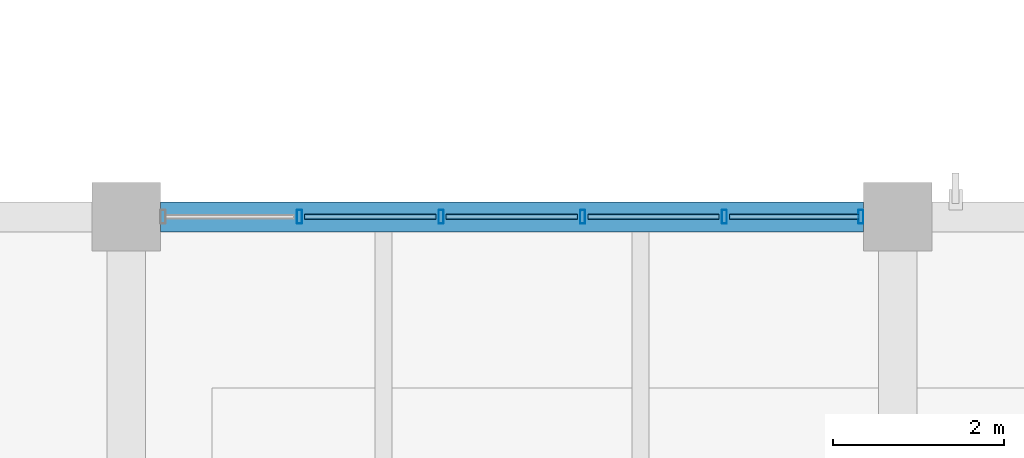
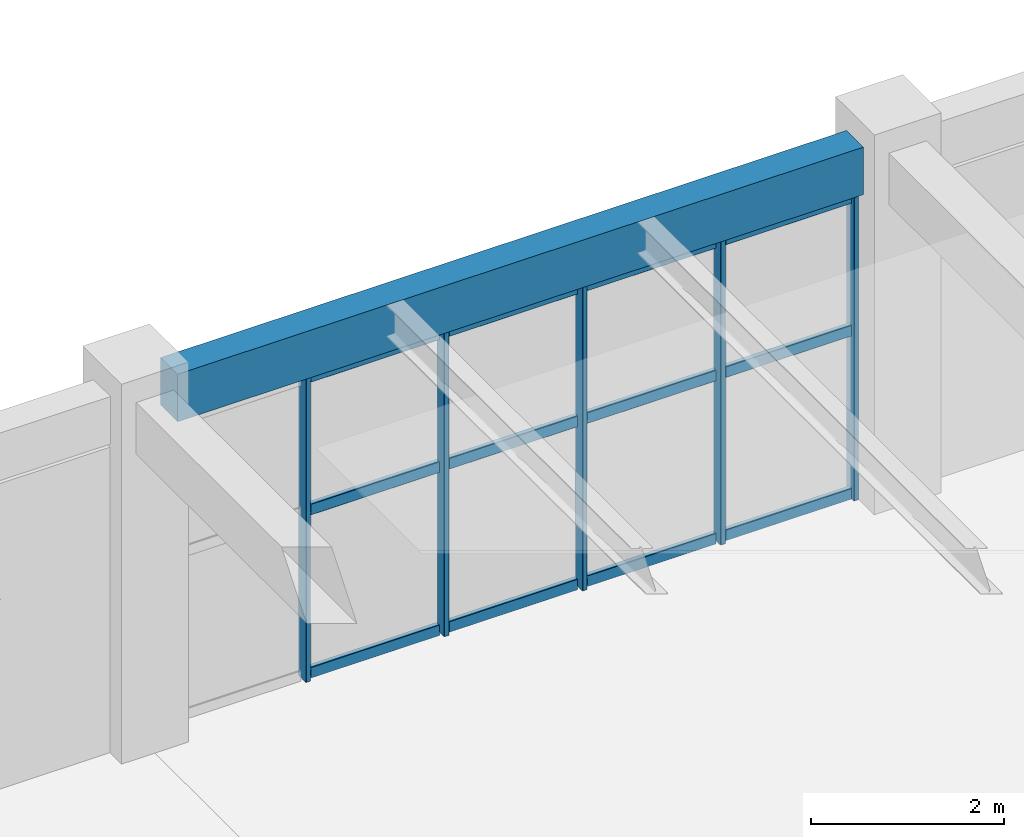
# One storey, part 113 of 178: 17 members, 1 beam, 1 element without a shape of its own.
"""IFC4 building model written with IfcOpenShell, lengths in metres."""

from ifc_helpers import new_model, si_unit, derived_unit, direction, frame, origin, origin_2d, place, context, subcontext, project, spatial, rectangle, hollow_rectangle, extrude, material, material_profile, profile_set, type_object, element, aggregate, save


model = new_model("IFC4")

# Units and contexts
model_context = context("Model", 3, precision=1e-05, world=origin(), true_north=direction((0.0, 1.0)))
body_context = subcontext(model_context, "Body", "Model", "MODEL_VIEW")
ifc_project = project(units=[si_unit("LENGTHUNIT", "METRE"), si_unit("AREAUNIT", "SQUARE_METRE"), si_unit("VOLUMEUNIT", "CUBIC_METRE"), si_unit("PLANEANGLEUNIT", "RADIAN"), si_unit("MASSUNIT", "GRAM", prefix="KILO"), derived_unit("THERMALTRANSMITTANCEUNIT", [(si_unit("MASSUNIT", "GRAM", prefix="KILO"), 1), (si_unit("TIMEUNIT", "SECOND"), -3), (si_unit("THERMODYNAMICTEMPERATUREUNIT", "KELVIN"), -1)])], contexts=[model_context])

# Site, building, storey
site_placement = place(None, origin())
site = spatial("IfcSite", under=ifc_project, at=site_placement, CompositionType="ELEMENT")
building_placement = place(site_placement, origin())
building = spatial("IfcBuilding", under=site, at=building_placement, Name="Zhenchuan Archway Interchange", CompositionType="ELEMENT")
storey_placement = place(building_placement, frame((0.0, 0.0, 5.39990234375)))
storey = spatial("IfcBuildingStorey", under=building, at=storey_placement, Name="L01", CompositionType="ELEMENT", Elevation=5.39990234375)

# Curtain wall, members
ifc_material_1 = material(Name="Anodised Aluminium", Category="aluminium")
curtain_wall_type = type_object("IfcCurtainWallType", Name="CW_UNIT_4", PredefinedType="NOTDEFINED", material=ifc_material_1)
curtain_wall_placement = place(storey_placement, origin())
curtain_wall = element("IfcCurtainWall", 1, at=curtain_wall_placement, inside=storey, type_object=curtain_wall_type, Name="Unitised curtain wall CW:L01:103", PredefinedType="NOTDEFINED")
ifc_material_profile_1 = material_profile(ifc_material_1, hollow_rectangle(XDim=0.06005859375, YDim=0.159912109375, WallThickness=0.00390625, InnerFilletRadius=0.00390625, OuterFilletRadius=0.008056640625, at=origin_2d()), Name="ALU 160x60x4")
ifc_profile_set_1 = profile_set([ifc_material_profile_1], Name="Anodised Aluminium")
member_type_1 = type_object("IfcMemberType", Name="CW_MUL_150", PredefinedType="MULLION", material=ifc_profile_set_1)
member_1_placement = place(storey_placement, frame((128.020751953125, 24.0, 0.0), z_axis=(0.0, 0.0, 1.0), x_axis=(1.0, 0.0, 0.0)))
member_1 = element("IfcMember", 2, at=member_1_placement, type_object=member_type_1, Name="CW:L01:103 mullion 1", PredefinedType="MULLION", context=body_context, shape_type="SweptSolid", body=[
    extrude(hollow_rectangle(XDim=0.06005859375, YDim=0.159912109375, WallThickness=0.00390625, InnerFilletRadius=0.00390625, OuterFilletRadius=0.008056640625, at=origin_2d()), origin(), (0.0, 0.0, 1.0), 3.880126953125),
])
member_2_placement = place(storey_placement, frame((129.673583984375, 24.0, 0.0), z_axis=(0.0, 0.0, 1.0), x_axis=(1.0, 0.0, 0.0)))
member_2 = element("IfcMember", 3, at=member_2_placement, type_object=member_type_1, Name="CW:L01:103 mullion 2", PredefinedType="MULLION", context=body_context, shape_type="SweptSolid", body=[
    extrude(hollow_rectangle(XDim=0.06005859375, YDim=0.159912109375, WallThickness=0.00390625, InnerFilletRadius=0.00390625, OuterFilletRadius=0.008056640625, at=origin_2d()), origin(), (0.0, 0.0, 1.0), 3.880126953125),
])
member_3_placement = place(storey_placement, frame((131.326416015625, 24.0, 0.0), z_axis=(0.0, 0.0, 1.0), x_axis=(1.0, 0.0, 0.0)))
member_3 = element("IfcMember", 4, at=member_3_placement, type_object=member_type_1, Name="CW:L01:103 mullion 3", PredefinedType="MULLION", context=body_context, shape_type="SweptSolid", body=[
    extrude(hollow_rectangle(XDim=0.06005859375, YDim=0.159912109375, WallThickness=0.00390625, InnerFilletRadius=0.00390625, OuterFilletRadius=0.008056640625, at=origin_2d()), origin(), (0.0, 0.0, 1.0), 3.880126953125),
])
member_4_placement = place(storey_placement, frame((132.979248046875, 24.0, 0.0), z_axis=(0.0, 0.0, 1.0), x_axis=(1.0, 0.0, 0.0)))
member_4 = element("IfcMember", 5, at=member_4_placement, type_object=member_type_1, Name="CW:L01:103 mullion 4", PredefinedType="MULLION", context=body_context, shape_type="SweptSolid", body=[
    extrude(hollow_rectangle(XDim=0.06005859375, YDim=0.159912109375, WallThickness=0.00390625, InnerFilletRadius=0.00390625, OuterFilletRadius=0.008056640625, at=origin_2d()), origin(), (0.0, 0.0, 1.0), 3.880126953125),
])
member_5_placement = place(storey_placement, frame((134.572021484375, 24.0, 0.0), z_axis=(0.0, 0.0, 1.0), x_axis=(1.0, 0.0, 0.0)))
member_5 = element("IfcMember", 6, at=member_5_placement, type_object=member_type_1, Name="CW:L01:103 mullion 5", PredefinedType="MULLION", context=body_context, shape_type="SweptSolid", body=[
    extrude(hollow_rectangle(XDim=0.06005859375, YDim=0.159912109375, WallThickness=0.00390625, InnerFilletRadius=0.00390625, OuterFilletRadius=0.008056640625, at=origin_2d()), origin(), (0.0, 0.0, 1.0), 3.880126953125),
])
ifc_material_profile_2 = material_profile(ifc_material_1, hollow_rectangle(XDim=0.06005859375, YDim=0.139892578125, WallThickness=0.00341796875, InnerFilletRadius=0.00341796875, OuterFilletRadius=0.007080078125, at=origin_2d()), Name="ALU 140x60x3.5")
ifc_profile_set_2 = profile_set([ifc_material_profile_2], Name="Anodised Aluminium")
member_type_2 = type_object("IfcMemberType", Name="CW_TRN_140", PredefinedType="USERDEFINED", material=ifc_profile_set_2)
member_6_placement = place(storey_placement, frame((128.080810546875, 24.0, 0.06005859375), z_axis=(1.0, 0.0, 0.0), x_axis=(0.0, 1.0, 0.0)))
member_6 = element("IfcMember", 7, at=member_6_placement, type_object=member_type_2, Name="CW:L01:103 transom 1-1", ObjectType="TRANSOM", PredefinedType="USERDEFINED", context=body_context, shape_type="SweptSolid", body=[
    extrude(hollow_rectangle(XDim=0.06005859375, YDim=0.139892578125, WallThickness=0.00341796875, InnerFilletRadius=0.00341796875, OuterFilletRadius=0.007080078125, at=origin_2d()), origin(), (0.0, 0.0, 1.0), 1.53271484375),
])
member_7_placement = place(storey_placement, frame((128.080810546875, 24.0, 2.123046875), z_axis=(1.0, 0.0, 0.0), x_axis=(0.0, 1.0, 0.0)))
member_7 = element("IfcMember", 8, at=member_7_placement, type_object=member_type_2, Name="CW:L01:103 transom 1-2", ObjectType="TRANSOM", PredefinedType="USERDEFINED", context=body_context, shape_type="SweptSolid", body=[
    extrude(hollow_rectangle(XDim=0.06005859375, YDim=0.139892578125, WallThickness=0.00341796875, InnerFilletRadius=0.00341796875, OuterFilletRadius=0.007080078125, at=origin_2d()), origin(), (0.0, 0.0, 1.0), 1.53271484375),
])
member_8_placement = place(storey_placement, frame((128.080810546875, 24.0, 3.800048828125), z_axis=(1.0, 0.0, 0.0), x_axis=(0.0, 1.0, 0.0)))
member_8 = element("IfcMember", 9, at=member_8_placement, type_object=member_type_2, Name="CW:L01:103 transom 1-3", ObjectType="TRANSOM", PredefinedType="USERDEFINED", context=body_context, shape_type="SweptSolid", body=[
    extrude(hollow_rectangle(XDim=0.06005859375, YDim=0.139892578125, WallThickness=0.00341796875, InnerFilletRadius=0.00341796875, OuterFilletRadius=0.007080078125, at=origin_2d()), origin(), (0.0, 0.0, 1.0), 1.53271484375),
])
member_9_placement = place(storey_placement, frame((129.733642578125, 24.0, 0.06005859375), z_axis=(1.0, 0.0, 0.0), x_axis=(0.0, 1.0, 0.0)))
member_9 = element("IfcMember", 10, at=member_9_placement, type_object=member_type_2, Name="CW:L01:103 transom 2-1", ObjectType="TRANSOM", PredefinedType="USERDEFINED", context=body_context, shape_type="SweptSolid", body=[
    extrude(hollow_rectangle(XDim=0.06005859375, YDim=0.139892578125, WallThickness=0.00341796875, InnerFilletRadius=0.00341796875, OuterFilletRadius=0.007080078125, at=origin_2d()), origin(), (0.0, 0.0, 1.0), 1.53271484375),
])
member_10_placement = place(storey_placement, frame((129.733642578125, 24.0, 2.123046875), z_axis=(1.0, 0.0, 0.0), x_axis=(0.0, 1.0, 0.0)))
member_10 = element("IfcMember", 11, at=member_10_placement, type_object=member_type_2, Name="CW:L01:103 transom 2-2", ObjectType="TRANSOM", PredefinedType="USERDEFINED", context=body_context, shape_type="SweptSolid", body=[
    extrude(hollow_rectangle(XDim=0.06005859375, YDim=0.139892578125, WallThickness=0.00341796875, InnerFilletRadius=0.00341796875, OuterFilletRadius=0.007080078125, at=origin_2d()), origin(), (0.0, 0.0, 1.0), 1.53271484375),
])
member_11_placement = place(storey_placement, frame((129.733642578125, 24.0, 3.800048828125), z_axis=(1.0, 0.0, 0.0), x_axis=(0.0, 1.0, 0.0)))
member_11 = element("IfcMember", 12, at=member_11_placement, type_object=member_type_2, Name="CW:L01:103 transom 2-3", ObjectType="TRANSOM", PredefinedType="USERDEFINED", context=body_context, shape_type="SweptSolid", body=[
    extrude(hollow_rectangle(XDim=0.06005859375, YDim=0.139892578125, WallThickness=0.00341796875, InnerFilletRadius=0.00341796875, OuterFilletRadius=0.007080078125, at=origin_2d()), origin(), (0.0, 0.0, 1.0), 1.53271484375),
])
member_12_placement = place(storey_placement, frame((131.386474609375, 24.0, 0.06005859375), z_axis=(1.0, 0.0, 0.0), x_axis=(0.0, 1.0, 0.0)))
member_12 = element("IfcMember", 13, at=member_12_placement, type_object=member_type_2, Name="CW:L01:103 transom 3-1", ObjectType="TRANSOM", PredefinedType="USERDEFINED", context=body_context, shape_type="SweptSolid", body=[
    extrude(hollow_rectangle(XDim=0.06005859375, YDim=0.139892578125, WallThickness=0.00341796875, InnerFilletRadius=0.00341796875, OuterFilletRadius=0.007080078125, at=origin_2d()), origin(), (0.0, 0.0, 1.0), 1.53271484375),
])
member_13_placement = place(storey_placement, frame((131.386474609375, 24.0, 2.123046875), z_axis=(1.0, 0.0, 0.0), x_axis=(0.0, 1.0, 0.0)))
member_13 = element("IfcMember", 14, at=member_13_placement, type_object=member_type_2, Name="CW:L01:103 transom 3-2", ObjectType="TRANSOM", PredefinedType="USERDEFINED", context=body_context, shape_type="SweptSolid", body=[
    extrude(hollow_rectangle(XDim=0.06005859375, YDim=0.139892578125, WallThickness=0.00341796875, InnerFilletRadius=0.00341796875, OuterFilletRadius=0.007080078125, at=origin_2d()), origin(), (0.0, 0.0, 1.0), 1.53271484375),
])
member_14_placement = place(storey_placement, frame((131.386474609375, 24.0, 3.800048828125), z_axis=(1.0, 0.0, 0.0), x_axis=(0.0, 1.0, 0.0)))
member_14 = element("IfcMember", 15, at=member_14_placement, type_object=member_type_2, Name="CW:L01:103 transom 3-3", ObjectType="TRANSOM", PredefinedType="USERDEFINED", context=body_context, shape_type="SweptSolid", body=[
    extrude(hollow_rectangle(XDim=0.06005859375, YDim=0.139892578125, WallThickness=0.00341796875, InnerFilletRadius=0.00341796875, OuterFilletRadius=0.007080078125, at=origin_2d()), origin(), (0.0, 0.0, 1.0), 1.53271484375),
])
member_15_placement = place(storey_placement, frame((133.039306640625, 24.0, 0.06005859375), z_axis=(1.0, 0.0, 0.0), x_axis=(0.0, 1.0, 0.0)))
member_15 = element("IfcMember", 16, at=member_15_placement, type_object=member_type_2, Name="CW:L01:103 transom 4-1", ObjectType="TRANSOM", PredefinedType="USERDEFINED", context=body_context, shape_type="SweptSolid", body=[
    extrude(hollow_rectangle(XDim=0.06005859375, YDim=0.139892578125, WallThickness=0.00341796875, InnerFilletRadius=0.00341796875, OuterFilletRadius=0.007080078125, at=origin_2d()), origin(), (0.0, 0.0, 1.0), 1.5126953125),
])
member_16_placement = place(storey_placement, frame((133.039306640625, 24.0, 2.123046875), z_axis=(1.0, 0.0, 0.0), x_axis=(0.0, 1.0, 0.0)))
member_16 = element("IfcMember", 17, at=member_16_placement, type_object=member_type_2, Name="CW:L01:103 transom 4-2", ObjectType="TRANSOM", PredefinedType="USERDEFINED", context=body_context, shape_type="SweptSolid", body=[
    extrude(hollow_rectangle(XDim=0.06005859375, YDim=0.139892578125, WallThickness=0.00341796875, InnerFilletRadius=0.00341796875, OuterFilletRadius=0.007080078125, at=origin_2d()), origin(), (0.0, 0.0, 1.0), 1.5126953125),
])
member_17_placement = place(storey_placement, frame((133.039306640625, 24.0, 3.800048828125), z_axis=(1.0, 0.0, 0.0), x_axis=(0.0, 1.0, 0.0)))
member_17 = element("IfcMember", 18, at=member_17_placement, type_object=member_type_2, Name="CW:L01:103 transom 4-3", ObjectType="TRANSOM", PredefinedType="USERDEFINED", context=body_context, shape_type="SweptSolid", body=[
    extrude(hollow_rectangle(XDim=0.06005859375, YDim=0.139892578125, WallThickness=0.00341796875, InnerFilletRadius=0.00341796875, OuterFilletRadius=0.007080078125, at=origin_2d()), origin(), (0.0, 0.0, 1.0), 1.5126953125),
])
aggregate(curtain_wall, [member_1, member_2, member_3, member_4, member_5, member_6, member_7, member_8, member_9, member_10, member_11, member_12, member_13, member_14, member_15, member_16, member_17])

# Beam
ifc_material_2 = material(Name="Concrete C40", Category="concrete")
ifc_material_profile_3 = material_profile(ifc_material_2, rectangle(XDim=0.35009765625, YDim=0.60009765625, at=origin_2d()), Name="RC 350x600")
ifc_profile_set_3 = profile_set([ifc_material_profile_3], Name="Concrete C40")
beam_type = type_object("IfcBeamType", Name="SP_RC_350x600", PredefinedType="SPANDREL", material=ifc_profile_set_3)
beam_placement = place(storey_placement, frame((126.39990234375, 24.0, 4.210205078125), z_axis=(1.0, 0.0, 0.0), x_axis=(0.0, 1.0, 0.0)))
element("IfcBeam", 19, at=beam_placement, inside=storey, type_object=beam_type, Name="Beam D:15-16 (L01)", PredefinedType="SPANDREL", context=body_context, shape_type="SweptSolid", body=[
    extrude(rectangle(XDim=0.35009765625, YDim=0.60009765625, at=origin_2d()), origin(), (0.0, 0.0, 1.0), 8.2001953125),
])

save(model, "model.ifc")
